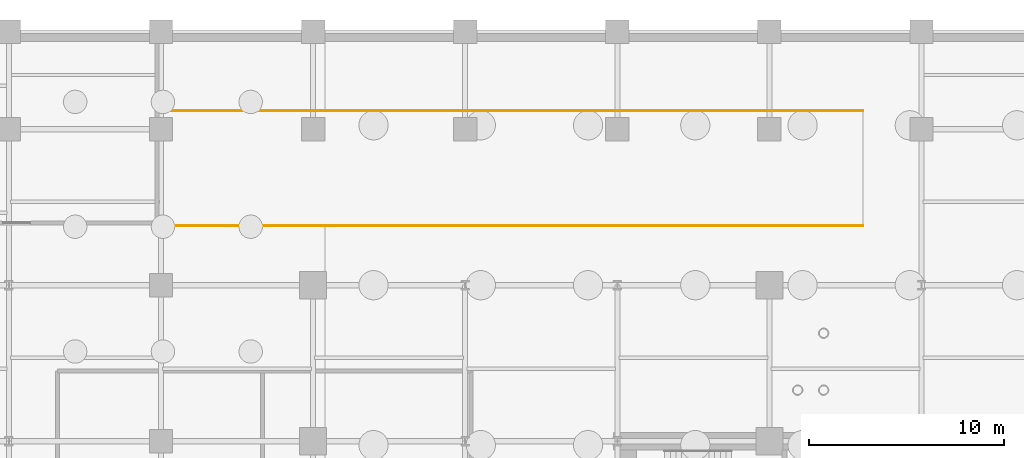
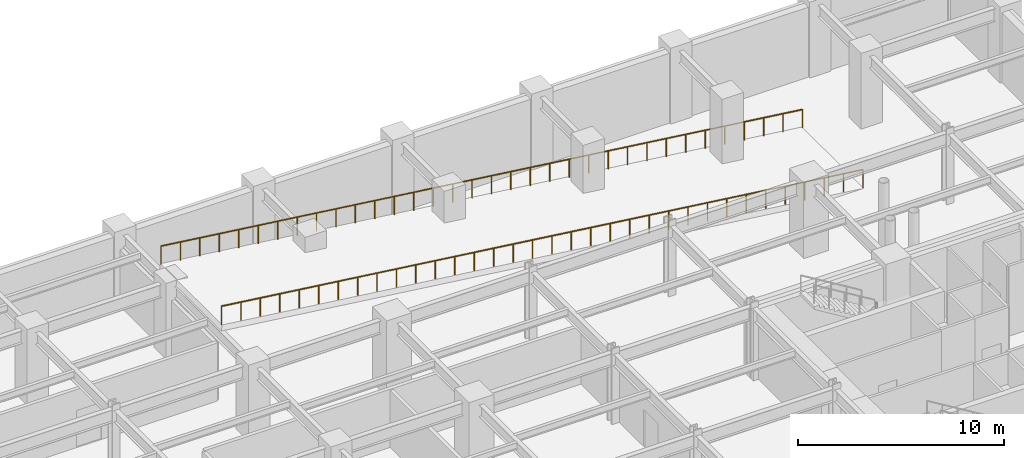
# One storey, part 9 of 10: 2 railings.
"""IFC4 building model written with IfcOpenShell, lengths in metres."""

from ifc_helpers import new_model, si_unit, direction, frame, origin, origin_2d, place, context, subcontext, project, spatial, circle, extrude, material, type_object, element, save


model = new_model("IFC4")

# Units and contexts
model_context = context("Model", 3, precision=1e-05, world=origin(), true_north=direction((0.0, 1.0)))
body_context = subcontext(model_context, "Body", "Model", "MODEL_VIEW")
ifc_project = project(units=[si_unit("LENGTHUNIT", "METRE"), si_unit("AREAUNIT", "SQUARE_METRE"), si_unit("VOLUMEUNIT", "CUBIC_METRE"), si_unit("PLANEANGLEUNIT", "RADIAN"), si_unit("MASSUNIT", "GRAM", prefix="KILO")], contexts=[model_context])

# Site, building, storey
site_placement = place(None, origin())
site = spatial("IfcSite", under=ifc_project, at=site_placement, CompositionType="ELEMENT")
building_placement = place(site_placement, origin())
building = spatial("IfcBuilding", under=site, at=building_placement, Name="Veymaron Broadcast Tower", CompositionType="ELEMENT")
storey_placement = place(building_placement, frame((0.0, 0.0, -9.0)))
storey = spatial("IfcBuildingStorey", under=building, at=storey_placement, Name="B2", CompositionType="ELEMENT", Elevation=-9.0)

# Railings
ifc_material = material(Name="Painted galvanized steel balustrade", Category="steel")
railing_type = type_object("IfcRailingType", Name="RAIL-WELL-GRD", PredefinedType="GUARDRAIL", material=ifc_material)
railing_1_placement = place(storey_placement, frame((51.60009765625, 43.06005859375, 0.0)))
element("IfcRailing", 1, at=railing_1_placement, inside=storey, type_object=railing_type, Name="B2 sloped vehicle ramp RMP1 S guardrail", PredefinedType="GUARDRAIL", context=body_context, shape_type="SweptSolid", body=[
    extrude(circle(Radius=0.02392578125, at=origin_2d()), frame((0.0, 0.0, 1.076171875), z_axis=(-0.992277876714, 0.0, 0.124034734589), x_axis=(0.0, -1.0, 0.0)), (0.0, 0.0, 1.0), 36.2802734375),
    extrude(circle(Radius=0.02099609375, at=origin_2d()), origin(), (0.0, 0.0, 1.0), 1.052001953125),
    extrude(circle(Radius=0.02099609375, at=origin_2d()), frame((-1.0908203125, 0.0, 0.136474609375)), (0.0, 0.0, 1.0), 1.052001953125),
    extrude(circle(Radius=0.02099609375, at=origin_2d()), frame((-2.181884765625, 0.0, 0.272705078125)), (0.0, 0.0, 1.0), 1.052001953125),
    extrude(circle(Radius=0.02099609375, at=origin_2d()), frame((-3.272705078125, 0.0, 0.4091796875)), (0.0, 0.0, 1.0), 1.052001953125),
    extrude(circle(Radius=0.02099609375, at=origin_2d()), frame((-4.363525390625, 0.0, 0.54541015625)), (0.0, 0.0, 1.0), 1.052001953125),
    extrude(circle(Radius=0.02099609375, at=origin_2d()), frame((-5.45458984375, 0.0, 0.681884765625)), (0.0, 0.0, 1.0), 1.052001953125),
    extrude(circle(Radius=0.02099609375, at=origin_2d()), frame((-6.54541015625, 0.0, 0.818115234375)), (0.0, 0.0, 1.0), 1.052001953125),
    extrude(circle(Radius=0.02099609375, at=origin_2d()), frame((-7.636474609375, 0.0, 0.95458984375)), (0.0, 0.0, 1.0), 1.052001953125),
    extrude(circle(Radius=0.02099609375, at=origin_2d()), frame((-8.727294921875, 0.0, 1.0908203125)), (0.0, 0.0, 1.0), 1.052001953125),
    extrude(circle(Radius=0.02099609375, at=origin_2d()), frame((-9.818115234375, 0.0, 1.227294921875)), (0.0, 0.0, 1.0), 1.052001953125),
    extrude(circle(Radius=0.02099609375, at=origin_2d()), frame((-10.9091796875, 0.0, 1.363525390625)), (0.0, 0.0, 1.0), 1.052001953125),
    extrude(circle(Radius=0.02099609375, at=origin_2d()), frame((-12.0, 0.0, 1.5)), (0.0, 0.0, 1.0), 1.052001953125),
    extrude(circle(Radius=0.02099609375, at=origin_2d()), frame((-13.0908203125, 0.0, 1.636474609375)), (0.0, 0.0, 1.0), 1.052001953125),
    extrude(circle(Radius=0.02099609375, at=origin_2d()), frame((-14.181884765625, 0.0, 1.772705078125)), (0.0, 0.0, 1.0), 1.052001953125),
    extrude(circle(Radius=0.02099609375, at=origin_2d()), frame((-15.272705078125, 0.0, 1.9091796875)), (0.0, 0.0, 1.0), 1.052001953125),
    extrude(circle(Radius=0.02099609375, at=origin_2d()), frame((-16.363525390625, 0.0, 2.04541015625)), (0.0, 0.0, 1.0), 1.052001953125),
    extrude(circle(Radius=0.02099609375, at=origin_2d()), frame((-17.45458984375, 0.0, 2.181884765625)), (0.0, 0.0, 1.0), 1.052001953125),
    extrude(circle(Radius=0.02099609375, at=origin_2d()), frame((-18.54541015625, 0.0, 2.318115234375)), (0.0, 0.0, 1.0), 1.052001953125),
    extrude(circle(Radius=0.02099609375, at=origin_2d()), frame((-19.636474609375, 0.0, 2.45458984375)), (0.0, 0.0, 1.0), 1.052001953125),
    extrude(circle(Radius=0.02099609375, at=origin_2d()), frame((-20.727294921875, 0.0, 2.5908203125)), (0.0, 0.0, 1.0), 1.052001953125),
    extrude(circle(Radius=0.02099609375, at=origin_2d()), frame((-21.818115234375, 0.0, 2.727294921875)), (0.0, 0.0, 1.0), 1.052001953125),
    extrude(circle(Radius=0.02099609375, at=origin_2d()), frame((-22.9091796875, 0.0, 2.863525390625)), (0.0, 0.0, 1.0), 1.052001953125),
    extrude(circle(Radius=0.02099609375, at=origin_2d()), frame((-24.0, 0.0, 3.0)), (0.0, 0.0, 1.0), 1.052001953125),
    extrude(circle(Radius=0.02099609375, at=origin_2d()), frame((-25.0908203125, 0.0, 3.136474609375)), (0.0, 0.0, 1.0), 1.052001953125),
    extrude(circle(Radius=0.02099609375, at=origin_2d()), frame((-26.181884765625, 0.0, 3.272705078125)), (0.0, 0.0, 1.0), 1.052001953125),
    extrude(circle(Radius=0.02099609375, at=origin_2d()), frame((-27.272705078125, 0.0, 3.4091796875)), (0.0, 0.0, 1.0), 1.052001953125),
    extrude(circle(Radius=0.02099609375, at=origin_2d()), frame((-28.363525390625, 0.0, 3.54541015625)), (0.0, 0.0, 1.0), 1.052001953125),
    extrude(circle(Radius=0.02099609375, at=origin_2d()), frame((-29.45458984375, 0.0, 3.681884765625)), (0.0, 0.0, 1.0), 1.052001953125),
    extrude(circle(Radius=0.02099609375, at=origin_2d()), frame((-30.54541015625, 0.0, 3.818115234375)), (0.0, 0.0, 1.0), 1.052001953125),
    extrude(circle(Radius=0.02099609375, at=origin_2d()), frame((-31.636474609375, 0.0, 3.95458984375)), (0.0, 0.0, 1.0), 1.052001953125),
    extrude(circle(Radius=0.02099609375, at=origin_2d()), frame((-32.727294921875, 0.0, 4.0908203125)), (0.0, 0.0, 1.0), 1.052001953125),
    extrude(circle(Radius=0.02099609375, at=origin_2d()), frame((-33.818115234375, 0.0, 4.227294921875)), (0.0, 0.0, 1.0), 1.052001953125),
    extrude(circle(Radius=0.02099609375, at=origin_2d()), frame((-34.9091796875, 0.0, 4.363525390625)), (0.0, 0.0, 1.0), 1.052001953125),
    extrude(circle(Radius=0.02099609375, at=origin_2d()), frame((-36.0, 0.0, 4.5)), (0.0, 0.0, 1.0), 1.052001953125),
])
railing_2_placement = place(storey_placement, frame((51.60009765625, 48.93994140625, 0.0)))
element("IfcRailing", 2, at=railing_2_placement, inside=storey, type_object=railing_type, Name="B2 sloped vehicle ramp RMP1 N guardrail", PredefinedType="GUARDRAIL", context=body_context, shape_type="SweptSolid", body=[
    extrude(circle(Radius=0.02392578125, at=origin_2d()), frame((0.0, 0.0, 1.076171875), z_axis=(-0.992277876714, 0.0, 0.124034734589), x_axis=(0.0, -1.0, 0.0)), (0.0, 0.0, 1.0), 36.2802734375),
    extrude(circle(Radius=0.02099609375, at=origin_2d()), origin(), (0.0, 0.0, 1.0), 1.052001953125),
    extrude(circle(Radius=0.02099609375, at=origin_2d()), frame((-1.0908203125, 0.0, 0.136474609375)), (0.0, 0.0, 1.0), 1.052001953125),
    extrude(circle(Radius=0.02099609375, at=origin_2d()), frame((-2.181884765625, 0.0, 0.272705078125)), (0.0, 0.0, 1.0), 1.052001953125),
    extrude(circle(Radius=0.02099609375, at=origin_2d()), frame((-3.272705078125, 0.0, 0.4091796875)), (0.0, 0.0, 1.0), 1.052001953125),
    extrude(circle(Radius=0.02099609375, at=origin_2d()), frame((-4.363525390625, 0.0, 0.54541015625)), (0.0, 0.0, 1.0), 1.052001953125),
    extrude(circle(Radius=0.02099609375, at=origin_2d()), frame((-5.45458984375, 0.0, 0.681884765625)), (0.0, 0.0, 1.0), 1.052001953125),
    extrude(circle(Radius=0.02099609375, at=origin_2d()), frame((-6.54541015625, 0.0, 0.818115234375)), (0.0, 0.0, 1.0), 1.052001953125),
    extrude(circle(Radius=0.02099609375, at=origin_2d()), frame((-7.636474609375, 0.0, 0.95458984375)), (0.0, 0.0, 1.0), 1.052001953125),
    extrude(circle(Radius=0.02099609375, at=origin_2d()), frame((-8.727294921875, 0.0, 1.0908203125)), (0.0, 0.0, 1.0), 1.052001953125),
    extrude(circle(Radius=0.02099609375, at=origin_2d()), frame((-9.818115234375, 0.0, 1.227294921875)), (0.0, 0.0, 1.0), 1.052001953125),
    extrude(circle(Radius=0.02099609375, at=origin_2d()), frame((-10.9091796875, 0.0, 1.363525390625)), (0.0, 0.0, 1.0), 1.052001953125),
    extrude(circle(Radius=0.02099609375, at=origin_2d()), frame((-12.0, 0.0, 1.5)), (0.0, 0.0, 1.0), 1.052001953125),
    extrude(circle(Radius=0.02099609375, at=origin_2d()), frame((-13.0908203125, 0.0, 1.636474609375)), (0.0, 0.0, 1.0), 1.052001953125),
    extrude(circle(Radius=0.02099609375, at=origin_2d()), frame((-14.181884765625, 0.0, 1.772705078125)), (0.0, 0.0, 1.0), 1.052001953125),
    extrude(circle(Radius=0.02099609375, at=origin_2d()), frame((-15.272705078125, 0.0, 1.9091796875)), (0.0, 0.0, 1.0), 1.052001953125),
    extrude(circle(Radius=0.02099609375, at=origin_2d()), frame((-16.363525390625, 0.0, 2.04541015625)), (0.0, 0.0, 1.0), 1.052001953125),
    extrude(circle(Radius=0.02099609375, at=origin_2d()), frame((-17.45458984375, 0.0, 2.181884765625)), (0.0, 0.0, 1.0), 1.052001953125),
    extrude(circle(Radius=0.02099609375, at=origin_2d()), frame((-18.54541015625, 0.0, 2.318115234375)), (0.0, 0.0, 1.0), 1.052001953125),
    extrude(circle(Radius=0.02099609375, at=origin_2d()), frame((-19.636474609375, 0.0, 2.45458984375)), (0.0, 0.0, 1.0), 1.052001953125),
    extrude(circle(Radius=0.02099609375, at=origin_2d()), frame((-20.727294921875, 0.0, 2.5908203125)), (0.0, 0.0, 1.0), 1.052001953125),
    extrude(circle(Radius=0.02099609375, at=origin_2d()), frame((-21.818115234375, 0.0, 2.727294921875)), (0.0, 0.0, 1.0), 1.052001953125),
    extrude(circle(Radius=0.02099609375, at=origin_2d()), frame((-22.9091796875, 0.0, 2.863525390625)), (0.0, 0.0, 1.0), 1.052001953125),
    extrude(circle(Radius=0.02099609375, at=origin_2d()), frame((-24.0, 0.0, 3.0)), (0.0, 0.0, 1.0), 1.052001953125),
    extrude(circle(Radius=0.02099609375, at=origin_2d()), frame((-25.0908203125, 0.0, 3.136474609375)), (0.0, 0.0, 1.0), 1.052001953125),
    extrude(circle(Radius=0.02099609375, at=origin_2d()), frame((-26.181884765625, 0.0, 3.272705078125)), (0.0, 0.0, 1.0), 1.052001953125),
    extrude(circle(Radius=0.02099609375, at=origin_2d()), frame((-27.272705078125, 0.0, 3.4091796875)), (0.0, 0.0, 1.0), 1.052001953125),
    extrude(circle(Radius=0.02099609375, at=origin_2d()), frame((-28.363525390625, 0.0, 3.54541015625)), (0.0, 0.0, 1.0), 1.052001953125),
    extrude(circle(Radius=0.02099609375, at=origin_2d()), frame((-29.45458984375, 0.0, 3.681884765625)), (0.0, 0.0, 1.0), 1.052001953125),
    extrude(circle(Radius=0.02099609375, at=origin_2d()), frame((-30.54541015625, 0.0, 3.818115234375)), (0.0, 0.0, 1.0), 1.052001953125),
    extrude(circle(Radius=0.02099609375, at=origin_2d()), frame((-31.636474609375, 0.0, 3.95458984375)), (0.0, 0.0, 1.0), 1.052001953125),
    extrude(circle(Radius=0.02099609375, at=origin_2d()), frame((-32.727294921875, 0.0, 4.0908203125)), (0.0, 0.0, 1.0), 1.052001953125),
    extrude(circle(Radius=0.02099609375, at=origin_2d()), frame((-33.818115234375, 0.0, 4.227294921875)), (0.0, 0.0, 1.0), 1.052001953125),
    extrude(circle(Radius=0.02099609375, at=origin_2d()), frame((-34.9091796875, 0.0, 4.363525390625)), (0.0, 0.0, 1.0), 1.052001953125),
    extrude(circle(Radius=0.02099609375, at=origin_2d()), frame((-36.0, 0.0, 4.5)), (0.0, 0.0, 1.0), 1.052001953125),
])

save(model, "model.ifc")
